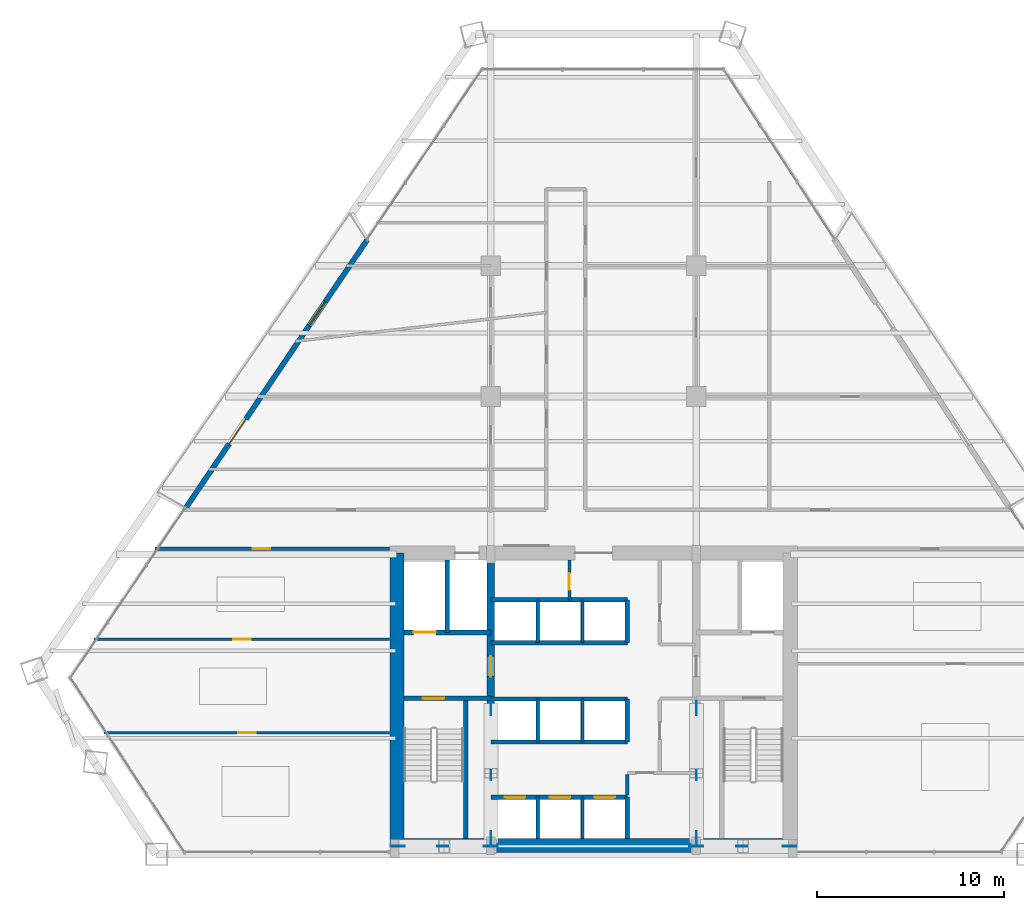
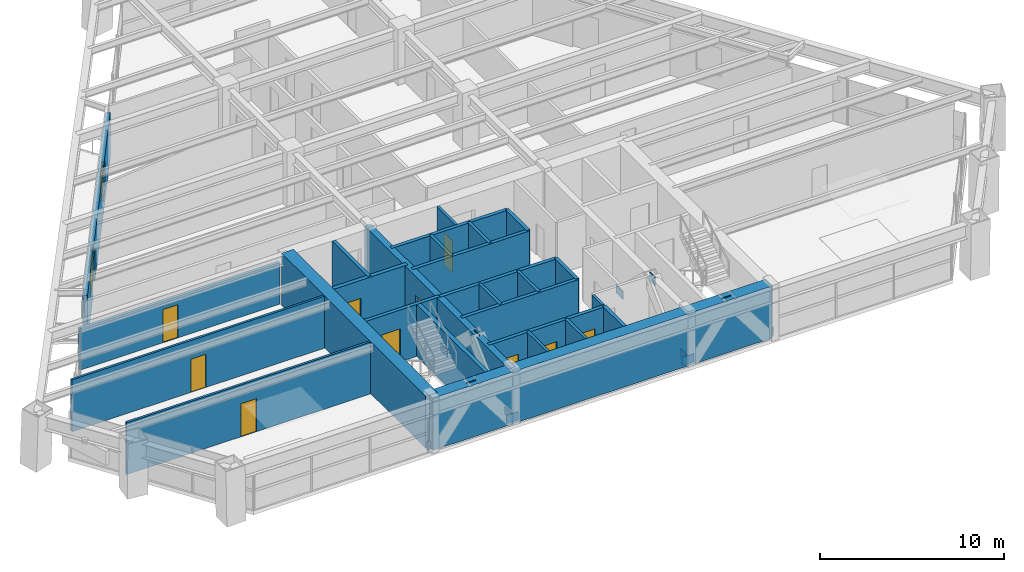
# One storey, part 10 of 14: 27 walls, 12 plates, 11 doors, 1 window, 12 openings.
"""IFC4 building model written with IfcOpenShell, lengths in metres."""

import ifcopenshell
import ifcopenshell.guid

model = None  # the IFC model being written
_history = None  # IfcOwnerHistory: only IFC2X3 demands one
_inside = {}  # id of a spatial element -> (the spatial element, [elements in it])
_under = {}  # id of a project, library or spatial element -> (it, [spatial elements below it])
_declared = {}  # id of a project -> (the project, [libraries it declares])
_typed = {}  # id of a type object -> (the type object, [elements of that type])
_made_of = {}  # id of a material, layer set ... -> (it, [elements and type objects made of it])


def new_model(schema):
    """Start an empty IFC model of exactly this schema.

    Asked for "IFC4X3", IfcOpenShell would pick the latest addendum, in which some entities
    have other attributes; the version numbers below select the first issue.
    IFC2X3 requires an IfcOwnerHistory on every rooted entity: one is made here for all.
    """
    global model, _history
    if schema == "IFC4X3":
        model = ifcopenshell.file(schema_version=(4, 3, 0, 0))
    else:
        model = ifcopenshell.file(schema=schema)
    _inside.clear()
    _under.clear()
    _declared.clear()
    _typed.clear()
    _made_of.clear()
    _history = None
    if model.schema == "IFC2X3":
        org = make("IfcOrganization", Name="unknown")
        user = make(
            "IfcPersonAndOrganization",
            ThePerson=make("IfcPerson", FamilyName="unknown"),
            TheOrganization=org,
        )
        app = make(
            "IfcApplication",
            ApplicationDeveloper=org,
            Version="unknown",
            ApplicationFullName="unknown",
            ApplicationIdentifier="unknown",
        )
        _history = make(
            "IfcOwnerHistory",
            OwningUser=user,
            OwningApplication=app,
            ChangeAction="ADDED",
            CreationDate=0,
        )
    return model


def make(cls, **values):
    """One entity of the class cls with the attributes given. An attribute that is None is left unset."""
    return model.create_entity(
        cls, **{name: value for name, value in values.items() if value is not None}
    )


def rooted(cls, **values):
    """An entity with a GlobalId (a new one), such as an element, a storey or a relation."""
    return make(cls, GlobalId=ifcopenshell.guid.new(), OwnerHistory=_history, **values)


def si_unit(unit_type, name, prefix=None):
    """IfcSIUnit, for example si_unit("LENGTHUNIT", "METRE", prefix="MILLI")."""
    return make("IfcSIUnit", UnitType=unit_type, Prefix=prefix, Name=name)


def assignment(units):
    """IfcUnitAssignment: the units of a project."""
    return None if units is None else make("IfcUnitAssignment", Units=units)


def point(xyz):
    """IfcCartesianPoint."""
    return None if xyz is None else make("IfcCartesianPoint", Coordinates=xyz)


def direction(xyz):
    """IfcDirection."""
    return None if xyz is None else make("IfcDirection", DirectionRatios=xyz)


def frame(location, z_axis=None, x_axis=None):
    """IfcAxis2Placement3D, a coordinate frame: its origin and axes. An axis left out is left unset."""
    return make(
        "IfcAxis2Placement3D",
        Location=point(location),
        Axis=direction(z_axis),
        RefDirection=direction(x_axis),
    )


def frame_2d(location, x_axis=None):
    """IfcAxis2Placement2D, a coordinate frame in the plane: its origin and x axis."""
    return make(
        "IfcAxis2Placement2D", Location=point(location), RefDirection=direction(x_axis)
    )


def origin():
    """The frame at (0, 0, 0) with its axes left unset."""
    return frame((0.0, 0.0, 0.0))


def origin_2d():
    """The frame at (0, 0) in the plane with its x axis left unset."""
    return frame_2d((0.0, 0.0))


def place(relative_to, where):
    """IfcLocalPlacement: puts the frame where relative to a parent placement (None: the world)."""
    return make(
        "IfcLocalPlacement", PlacementRelTo=relative_to, RelativePlacement=where
    )


def context(
    kind, dimensions, precision=None, world=None, true_north=None, identifier=None
):
    """IfcGeometricRepresentationContext, for example the 3D "Model" context."""
    return make(
        "IfcGeometricRepresentationContext",
        ContextIdentifier=identifier,
        ContextType=kind,
        CoordinateSpaceDimension=dimensions,
        Precision=precision,
        WorldCoordinateSystem=world,
        TrueNorth=true_north,
    )


def subcontext(parent, identifier, kind, view, scale=None):
    """IfcGeometricRepresentationSubContext, for example "Body" below "Model"."""
    return make(
        "IfcGeometricRepresentationSubContext",
        ContextIdentifier=identifier,
        ContextType=kind,
        ParentContext=parent,
        TargetScale=scale,
        TargetView=view,
    )


def project(units=None, contexts=None):
    """IfcProject with its units and contexts."""
    return rooted(
        "IfcProject",
        Name="project",
        RepresentationContexts=contexts,
        UnitsInContext=assignment(units),
    )


def spatial(cls, under=None, at=None, **own):
    """A site, building, storey or space (cls), placed at a placement, below another one or the project."""
    s = rooted(cls, ObjectPlacement=at, **own)
    if under is not None:
        _under.setdefault(under.id(), (under, []))[1].append(s)
    return s


def profile(cls, at=None, kind="AREA", **sizes):
    """A parametric profile (cls). Its sizes go by their IFC names, for example OverallWidth=200.0."""
    return make(cls, ProfileType=kind, Position=at, **sizes)


def rectangle(**sizes):
    """IfcRectangleProfileDef."""
    return profile("IfcRectangleProfileDef", **sizes)


def extrude(swept, where, along, depth):
    """IfcExtrudedAreaSolid: the profile swept, set in the frame where, extruded along a direction by depth."""
    return make(
        "IfcExtrudedAreaSolid",
        SweptArea=swept,
        Position=where,
        ExtrudedDirection=direction(along),
        Depth=depth,
    )


def shape(context_of_items, identifier, shape_type, items):
    """IfcShapeRepresentation: the items that make up one representation, for example the "Body"."""
    return make(
        "IfcShapeRepresentation",
        ContextOfItems=context_of_items,
        RepresentationIdentifier=identifier,
        RepresentationType=shape_type,
        Items=items,
    )


def source(mapping_origin, context_of_items, identifier, shape_type, items):
    """IfcRepresentationMap: a shape defined once, which mapped items show again and again."""
    return make(
        "IfcRepresentationMap",
        MappingOrigin=mapping_origin,
        MappedRepresentation=shape(context_of_items, identifier, shape_type, items),
    )


def transform(
    local_origin,
    x_axis=None,
    y_axis=None,
    z_axis=None,
    scale=None,
    scale2=None,
    scale3=None,
    uniform=True,
):
    """IfcCartesianTransformationOperator3D, or its non-uniform kind. x_axis, y_axis, z_axis: its Axis1, 2, 3."""
    if uniform:
        return make(
            "IfcCartesianTransformationOperator3D",
            Axis1=direction(x_axis),
            Axis2=direction(y_axis),
            LocalOrigin=point(local_origin),
            Scale=scale,
            Axis3=direction(z_axis),
        )
    return make(
        "IfcCartesianTransformationOperator3DnonUniform",
        Axis1=direction(x_axis),
        Axis2=direction(y_axis),
        LocalOrigin=point(local_origin),
        Scale=scale,
        Axis3=direction(z_axis),
        Scale2=scale2,
        Scale3=scale3,
    )


def mapped(mapping_source, mapping_target):
    """IfcMappedItem: shows the shape of a source again, moved by a transform."""
    return make(
        "IfcMappedItem", MappingSource=mapping_source, MappingTarget=mapping_target
    )


def material(Name=None, Category=None):
    """IfcMaterial."""
    return make("IfcMaterial", Name=Name, Category=Category)


def layer(
    of_material, thickness, ventilated=None, Name=None, Category=None, Priority=None
):
    """IfcMaterialLayer: one layer of a wall or slab, of a material (None: an air gap)."""
    return make(
        "IfcMaterialLayer",
        Material=of_material,
        LayerThickness=thickness,
        IsVentilated=ventilated,
        Name=Name,
        Category=Category,
        Priority=Priority,
    )


def layer_set(layers, Name=None):
    """IfcMaterialLayerSet."""
    return make("IfcMaterialLayerSet", MaterialLayers=layers, LayerSetName=Name)


def made_of(thing, what):
    """Note that an element or type object is made of a material, layer set ...; save() writes the relation."""
    if what is not None:
        _made_of.setdefault(what.id(), (what, []))[1].append(thing)
    return thing


def type_object(cls, material=None, **own):
    """A type object (cls), such as IfcWallType, which elements share."""
    return made_of(rooted(cls, **own), material)


def type_shapes(of_type, sources):
    """Give a type object the sources (RepresentationMaps) that its elements show as mapped items."""
    of_type.RepresentationMaps = sources


def element(
    cls,
    number,
    at=None,
    inside=None,
    cuts=None,
    type_object=None,
    material=None,
    context=None,
    identifier="Body",
    shape_type=None,
    held_by="IfcProductDefinitionShape",
    body=None,
    shapes=None,
    **own,
):
    """One element of the class cls, such as IfcWall. Its Tag is "e" and its number.

    at: its placement. inside: the storey or other place that contains it. cuts: it is an
    opening in that element (IfcRelVoidsElement). A single representation is given by context,
    identifier, shape_type and body (its items); several are given by shapes. held_by: the class
    of the entity that holds the representations. save() writes the other relations.
    """
    e = rooted(cls, Tag="e%d" % number, ObjectPlacement=at, **own)
    if body is not None:
        shapes = [shape(context, identifier, shape_type, body)]
    if shapes is not None:
        e.Representation = make(held_by, Representations=shapes)
    if inside is not None:
        _inside.setdefault(inside.id(), (inside, []))[1].append(e)
    if cuts is not None:
        rooted(
            "IfcRelVoidsElement", RelatingBuildingElement=cuts, RelatedOpeningElement=e
        )
    if type_object is not None:
        _typed.setdefault(type_object.id(), (type_object, []))[1].append(e)
    return made_of(e, material)


def fill(opening, filler):
    """IfcRelFillsElement: the door or window that sits in an opening."""
    return rooted(
        "IfcRelFillsElement",
        RelatingOpeningElement=opening,
        RelatedBuildingElement=filler,
    )


def aggregate(whole, parts):
    """IfcRelAggregates: a whole, such as a stair, and the parts it consists of."""
    return rooted("IfcRelAggregates", RelatingObject=whole, RelatedObjects=parts)


def save(model, path):
    """Write the relations noted so far, then the file.

    IfcRelAggregates (storeys below a building ...), IfcRelContainedInSpatialStructure (elements
    in a storey), IfcRelDefinesByType, IfcRelAssociatesMaterial and IfcRelDeclares: one each for
    every whole, place, type object, material and project.
    """
    for whole, parts in _under.values():
        aggregate(whole, parts)
    for where, things in _inside.values():
        rooted(
            "IfcRelContainedInSpatialStructure",
            RelatedElements=things,
            RelatingStructure=where,
        )
    for kind, things in _typed.values():
        rooted("IfcRelDefinesByType", RelatedObjects=things, RelatingType=kind)
    for what, things in _made_of.values():
        rooted("IfcRelAssociatesMaterial", RelatedObjects=things, RelatingMaterial=what)
    for by, libraries in _declared.values():
        rooted("IfcRelDeclares", RelatingContext=by, RelatedDefinitions=libraries)
    model.write(path)


model = new_model("IFC4")

# Units and contexts
model_context = context("Model", 3, precision=1e-05, world=origin(), true_north=direction((0.0, 1.0)))
body_context = subcontext(model_context, "Body", "Model", "MODEL_VIEW")
ifc_project = project(units=[si_unit("LENGTHUNIT", "METRE"), si_unit("AREAUNIT", "SQUARE_METRE"), si_unit("VOLUMEUNIT", "CUBIC_METRE"), si_unit("PLANEANGLEUNIT", "RADIAN"), si_unit("MASSUNIT", "GRAM", prefix="KILO")], contexts=[model_context])

# Site, building, storey
site_placement = place(None, origin())
site = spatial("IfcSite", under=ifc_project, at=site_placement, CompositionType="ELEMENT")
building_placement = place(site_placement, origin())
building = spatial("IfcBuilding", under=site, at=building_placement, Name="Varnakhor Terracotta Tower", CompositionType="ELEMENT")
storey_placement = place(building_placement, frame((0.0, 0.0, 80.300048828125)))
storey = spatial("IfcBuildingStorey", under=building, at=storey_placement, Name="L19", CompositionType="ELEMENT", Elevation=80.300048828125)

# Plates
ifc_material_1 = material(Name="Steel S460", Category="steel")
ifc_layer_1 = layer(ifc_material_1, 0.050048828125, Name="Steel S460")
ifc_layer_set_1 = layer_set([ifc_layer_1], Name="Steel S460")
plate_type = type_object("IfcPlateType", Name="PLT-GUSSET-50", PredefinedType="USERDEFINED", material=ifc_layer_set_1)
shared_shape_1 = source(origin(), body_context, "Body", "SweptSolid", [
    extrude(rectangle(XDim=0.75, YDim=0.0400390625, at=origin_2d()), origin(), (0.0, 0.0, 1.0), 0.550048828125),
])
type_shapes(plate_type, [shared_shape_1])
for number, where, z_axis, x_axis, name in (
    (1, (-10.5, 0.419921875, -0.09521484375), (0.0, 0.0, 1.0), (1.0, 0.0, 0.0), "L19 Core Brace Embed Plate CSWA"),
    (2, (-5.5, 0.419921875, -0.09521484375), (0.0, 0.0, 1.0), (1.0, 0.0, 0.0), "L19 Core Brace Embed Plate CSWB"),
    (3, (5.5, 0.419921875, -0.09521484375), (0.0, 0.0, 1.0), (1.0, 0.0, 0.0), "L19 Core Brace Embed Plate CSEA"),
    (4, (10.5, 0.419921875, -0.09521484375), (0.0, 0.0, 1.0), (1.0, 0.0, 0.0), "L19 Core Brace Embed Plate CSEB"),
    (5, (-5.5, 0.85009765625, -0.09521484375), (0.0, 0.0, 1.0), (0.0, 1.0, 0.0), "L19 Core Brace Embed Plate CWWA"),
    (6, (-5.5, 7.800048828125, -0.09521484375), (0.0, 0.0, 1.0), (0.0, 1.0, 0.0), "L19 Core Brace Embed Plate CWWB"),
    (7, (5.5, 0.85009765625, -0.09521484375), (0.0, 0.0, 1.0), (0.0, 1.0, 0.0), "L19 Core Brace Embed Plate CWEA"),
    (8, (5.5, 7.800048828125, -0.09521484375), (0.0, 0.0, 1.0), (0.0, 1.0, 0.0), "L19 Core Brace Embed Plate CWEB"),
):
    element("IfcPlate", number, at=place(storey_placement, frame(where, z_axis=z_axis, x_axis=x_axis)), inside=storey, type_object=plate_type, Name=name, ObjectType="GUSSET PLATE", PredefinedType="USERDEFINED", context=body_context, shape_type="MappedRepresentation", body=[
        mapped(shared_shape_1, transform((0.0, 0.0, 0.0), scale=1.0)),
    ])
shared_shape_2 = source(origin(), body_context, "Body", "SweptSolid", [
    extrude(rectangle(XDim=0.580078125, YDim=0.0400390625, at=origin_2d()), origin(), (0.0, 0.0, 1.0), 0.580078125),
])
for number, where, z_axis, x_axis, name in (
    (9, (-8.072509765625, 0.419921875, 2.914306640625), (0.0, 0.0, 1.0), (1.0, 0.0, 0.0), "L19 Brace End Connection Plate 88"),
    (10, (7.927490234375, 0.419921875, 2.914306640625), (0.0, 0.0, 1.0), (1.0, 0.0, 0.0), "L19 Brace End Connection Plate 89"),
    (11, (-5.5, 4.238037109375, 2.92724609375), (0.0, 0.0, 1.0), (0.0, 1.0, 0.0), "L19 Brace End Connection Plate 90"),
    (12, (5.5, 4.238037109375, 2.92724609375), (0.0, 0.0, 1.0), (0.0, 1.0, 0.0), "L19 Brace End Connection Plate 91"),
):
    element("IfcPlate", number, at=place(storey_placement, frame(where, z_axis=z_axis, x_axis=x_axis)), inside=storey, type_object=plate_type, Name=name, ObjectType="GUSSET PLATE", PredefinedType="USERDEFINED", context=body_context, shape_type="MappedRepresentation", body=[
        mapped(shared_shape_2, transform((0.0, 0.0, 0.0), scale=1.0)),
    ])

# Walls
ifc_material_2 = material(Name="Concrete C60/75", Category="concrete")
ifc_layer_2 = layer(ifc_material_2, 0.75, Name="Concrete C60/75")
ifc_layer_set_2 = layer_set([ifc_layer_2], Name="Concrete C60/75")
wall_type_1 = type_object("IfcWallType", Name="WAL-CORE-750", PredefinedType="SHEAR", material=ifc_layer_set_2)
wall_1_placement = place(storey_placement, frame((-10.64990234375, 0.47509765625, 0.0), z_axis=(0.0, 0.0, 1.0), x_axis=(1.0, 0.0, 0.0)))
element("IfcWall", 13, at=wall_1_placement, inside=storey, type_object=wall_type_1, Name="L19 South Core Shear Wall", PredefinedType="SHEAR", context=body_context, shape_type="SweptSolid", body=[
    extrude(rectangle(XDim=21.2998046875, YDim=0.75, at=frame_2d((10.64990234375, 0.0))), origin(), (0.0, 0.0, 1.0), 3.449951171875),
])
wall_2_placement = place(storey_placement, frame((-10.52490234375, 0.47509765625, 0.0), z_axis=(0.0, 0.0, 1.0), x_axis=(0.0, 1.0, 0.0)))
element("IfcWall", 14, at=wall_2_placement, inside=storey, type_object=wall_type_1, Name="L19 West Core Shear Wall", PredefinedType="SHEAR", context=body_context, shape_type="SweptSolid", body=[
    extrude(rectangle(XDim=15.64990234375, YDim=0.75, at=frame_2d((7.824951171875, 0.0))), origin(), (0.0, 0.0, 1.0), 3.449951171875),
])

# Wall, opening, door
ifc_material_3 = material(Name="Concrete C50/60", Category="concrete")
ifc_layer_3 = layer(ifc_material_3, 0.39990234375, Name="Concrete C50/60")
ifc_layer_set_3 = layer_set([ifc_layer_3], Name="Concrete C50/60")
wall_type_2 = type_object("IfcWallType", Name="WAL-CORE-WEB-400", PredefinedType="SHEAR", material=ifc_layer_set_3)
wall_3_placement = place(storey_placement, frame((-5.5, 0.47509765625, 0.0), z_axis=(0.0, 0.0, 1.0), x_axis=(0.0, 1.0, 0.0)))
wall_3 = element("IfcWall", 15, at=wall_3_placement, inside=storey, type_object=wall_type_2, Name="L19 West Core Web Shear Wall", PredefinedType="SHEAR", context=body_context, shape_type="SweptSolid", body=[
    extrude(rectangle(XDim=15.64990234375, YDim=0.39990234375, at=frame_2d((7.824951171875, 0.0))), origin(), (0.0, 0.0, 1.0), 3.449951171875),
])
opening_1_placement = place(wall_3_placement, frame((9.02490234375, 0.0, 0.0)))
opening_1 = element("IfcOpeningElement", 16, at=opening_1_placement, cuts=wall_3, Name="Opening DR-25", PredefinedType="OPENING", context=body_context, shape_type="SweptSolid", body=[
    extrude(rectangle(XDim=1.10009765625, YDim=2.199951171875, at=frame_2d((0.550048828125, 1.10009765625))), frame((0.0, 0.2099609375, 0.0), z_axis=(0.0, -1.0, 0.0), x_axis=(1.0, 0.0, 0.0)), (0.0, 0.0, 1.0), 0.419921875),
])
ifc_material_4 = material(Name="Firefighting Lobby Self-Closing Fire Door", Category="steel")
door_type_1 = type_object("IfcDoorType", Name="DR-FFL-1100X2200", OperationType="NOTDEFINED", PredefinedType="DOOR", material=ifc_material_4)
shared_shape_3 = source(origin(), body_context, "Body", "SweptSolid", [
    extrude(rectangle(XDim=1.10009765625, YDim=2.199951171875, at=frame_2d((0.550048828125, 1.10009765625))), frame((0.0, 0.02490234375, 0.0), z_axis=(0.0, -1.0, 0.0), x_axis=(1.0, 0.0, 0.0)), (0.0, 0.0, 1.0), 0.050048828125),
])
type_shapes(door_type_1, [shared_shape_3])
door_1_placement = place(opening_1_placement, origin())
door_1 = element("IfcDoor", 17, at=door_1_placement, inside=storey, type_object=door_type_1, Name="L19 West Firefighting Lobby Door", OperationType="SINGLE_SWING_LEFT", OverallHeight=2.199951171875, OverallWidth=1.10009765625, PredefinedType="DOOR", context=body_context, shape_type="MappedRepresentation", body=[
    mapped(shared_shape_3, transform((0.0, 0.0, 0.0), scale=1.0)),
])
fill(opening_1, door_1)

ifc_material_5 = material(Name="Fire-Rated Gypsum Stud Partition", Category="gypsum")
ifc_layer_4 = layer(ifc_material_5, 0.18505859375, Name="Fire-Rated Gypsum Stud Partition")
ifc_layer_set_4 = layer_set([ifc_layer_4], Name="Fire-Rated Gypsum Stud Partition")
wall_type_3 = type_object("IfcWallType", Name="WAL-CORR-185", PredefinedType="PARTITIONING", material=ifc_layer_set_4)
wall_4_placement = place(storey_placement, frame((-23.47216796875, 16.35009765625, 0.0), z_axis=(0.0, 0.0, 1.0), x_axis=(1.0, 0.0, 0.0)))
wall_4 = element("IfcWall", 18, at=wall_4_placement, inside=storey, type_object=wall_type_3, Name="L19 South West Corridor Wall", PredefinedType="PARTITIONING", context=body_context, shape_type="SweptSolid", body=[
    extrude(rectangle(XDim=12.55224609375, YDim=0.18505859375, at=frame_2d((6.276123046875, 0.0))), origin(), (0.0, 0.0, 1.0), 2.7470703125),
])
opening_2_placement = place(wall_4_placement, frame((5.20751953125, 0.0, 0.0)))
opening_2 = element("IfcOpeningElement", 19, at=opening_2_placement, cuts=wall_4, Name="Opening DR-94", PredefinedType="OPENING", context=body_context, shape_type="SweptSolid", body=[
    extrude(rectangle(XDim=0.949951171875, YDim=2.199951171875, at=frame_2d((0.47509765625, 1.10009765625))), frame((0.0, 0.1025390625, 0.0), z_axis=(0.0, -1.0, 0.0), x_axis=(1.0, 0.0, 0.0)), (0.0, 0.0, 1.0), 0.205078125),
])
ifc_material_6 = material(Name="Acoustic Glazed-Vision Timber Office Door", Category="wood")
door_type_2 = type_object("IfcDoorType", Name="DR-OFF-950X2200", OperationType="NOTDEFINED", PredefinedType="DOOR", material=ifc_material_6)
shared_shape_4 = source(origin(), body_context, "Body", "SweptSolid", [
    extrude(rectangle(XDim=0.949951171875, YDim=2.199951171875, at=frame_2d((0.47509765625, 1.10009765625))), frame((0.0, 0.02490234375, 0.0), z_axis=(0.0, -1.0, 0.0), x_axis=(1.0, 0.0, 0.0)), (0.0, 0.0, 1.0), 0.050048828125),
])
type_shapes(door_type_2, [shared_shape_4])
door_2_placement = place(opening_2_placement, origin())
door_2 = element("IfcDoor", 20, at=door_2_placement, inside=storey, type_object=door_type_2, Name="L19 SW Suite Door", OperationType="SINGLE_SWING_RIGHT", OverallHeight=2.199951171875, OverallWidth=0.949951171875, PredefinedType="DOOR", context=body_context, shape_type="MappedRepresentation", body=[
    mapped(shared_shape_4, transform((0.0, 0.0, 0.0), scale=1.0)),
])
fill(opening_2, door_2)

# Wall, openings, door, window
ifc_material_7 = material(Name="Extruded Architectural Terracotta Assembly", Category="masonry")
ifc_layer_5 = layer(ifc_material_7, 0.280029296875, Name="Extruded Architectural Terracotta Assembly")
ifc_layer_set_5 = layer_set([ifc_layer_5], Name="Extruded Architectural Terracotta Assembly")
wall_type_4 = type_object("IfcWallType", Name="WAL-EXT-TERRACOTTA-280", PredefinedType="SOLIDWALL", material=ifc_layer_set_5)
wall_5_placement = place(storey_placement, frame((-21.846435546875, 18.5205078125, 0.0), z_axis=(0.0, 0.0, 1.0), x_axis=(0.560417461997, 0.828210280236, 0.0)))
wall_5 = element("IfcWall", 21, at=wall_5_placement, inside=storey, type_object=wall_type_4, Name="L19 W Loggia Insulated Terracotta Wall", PredefinedType="SOLIDWALL", context=body_context, shape_type="SweptSolid", body=[
    extrude(rectangle(XDim=17.36279296875, YDim=0.280029296875, at=frame_2d((8.681396484375, 0.0))), origin(), (0.0, 0.0, 1.0), 3.030029296875),
])
opening_3_placement = place(wall_5_placement, frame((4.1669921875, 0.0, 0.0)))
opening_3 = element("IfcOpeningElement", 22, at=opening_3_placement, cuts=wall_5, Name="Opening DR-62", PredefinedType="OPENING", context=body_context, shape_type="SweptSolid", body=[
    extrude(rectangle(XDim=1.60009765625, YDim=2.35009765625, at=frame_2d((0.800048828125, 1.175048828125))), frame((0.0, 0.14990234375, 0.0), z_axis=(0.0, -1.0, 0.0), x_axis=(1.0, 0.0, 0.0)), (0.0, 0.0, 1.0), 0.300048828125),
])
opening_4_placement = place(wall_5_placement, frame((11.806640625, 0.0, 0.89990234375)))
opening_4 = element("IfcOpeningElement", 23, at=opening_4_placement, cuts=wall_5, Name="Opening WN-57", PredefinedType="OPENING", context=body_context, shape_type="SweptSolid", body=[
    extrude(rectangle(XDim=1.550048828125, YDim=1.85009765625, at=frame_2d((0.77490234375, 0.925048828125))), frame((0.0, 0.14990234375, 0.0), z_axis=(0.0, -1.0, 0.0), x_axis=(1.0, 0.0, 0.0)), (0.0, 0.0, 1.0), 0.300048828125),
])
ifc_material_8 = material(Name="Thermally Broken Sliding Glass Loggia Door", Category="glass")
door_type_3 = type_object("IfcDoorType", Name="DR-EXT-LOGGIA-1600X2350", OperationType="NOTDEFINED", PredefinedType="DOOR", material=ifc_material_8)
shared_shape_5 = source(origin(), body_context, "Body", "SweptSolid", [
    extrude(rectangle(XDim=1.60009765625, YDim=2.35009765625, at=frame_2d((0.800048828125, 1.175048828125))), frame((0.0, 0.02490234375, 0.0), z_axis=(0.0, -1.0, 0.0), x_axis=(1.0, 0.0, 0.0)), (0.0, 0.0, 1.0), 0.050048828125),
])
type_shapes(door_type_3, [shared_shape_5])
door_3_placement = place(opening_3_placement, origin())
door_3 = element("IfcDoor", 24, at=door_3_placement, inside=storey, type_object=door_type_3, Name="L19 W Recessed Loggia Sliding Door", OperationType="SLIDING_TO_LEFT", OverallHeight=2.35009765625, OverallWidth=1.60009765625, PredefinedType="DOOR", context=body_context, shape_type="MappedRepresentation", body=[
    mapped(shared_shape_5, transform((0.0, 0.0, 0.0), scale=1.0)),
])
fill(opening_3, door_3)
ifc_material_9 = material(Name="Solar-Control Low-E Insulated Glass Unit", Category="glass")
window_type = type_object("IfcWindowType", Name="WIN-OFF-1650X2100", PartitioningType="SINGLE_PANEL", PredefinedType="WINDOW", material=ifc_material_9)
shared_shape_6 = source(origin(), body_context, "Body", "SweptSolid", [
    extrude(rectangle(XDim=1.550048828125, YDim=1.85009765625, at=frame_2d((0.77490234375, 0.925048828125))), frame((0.0, 0.030029296875, 0.0), z_axis=(0.0, -1.0, 0.0), x_axis=(1.0, 0.0, 0.0)), (0.0, 0.0, 1.0), 0.06005859375),
])
type_shapes(window_type, [shared_shape_6])
window_placement = place(opening_4_placement, origin())
window = element("IfcWindow", 25, at=window_placement, inside=storey, type_object=window_type, Name="L19 W Facet Punched Window", OverallHeight=1.85009765625, OverallWidth=1.550048828125, PartitioningType="SINGLE_PANEL", PredefinedType="WINDOW", context=body_context, shape_type="MappedRepresentation", body=[
    mapped(shared_shape_6, transform((0.0, 0.0, 0.0), scale=1.0)),
])
fill(opening_4, window)

# Wall, opening, door
ifc_material_10 = material(Name="Concrete C40/50", Category="concrete")
ifc_layer_6 = layer(ifc_material_10, 0.219970703125, Name="Concrete C40/50")
ifc_layer_set_6 = layer_set([ifc_layer_6], Name="Concrete C40/50")
wall_type_5 = type_object("IfcWallType", Name="WAL-FFLOBBY-220", PredefinedType="SOLIDWALL", material=ifc_layer_set_6)
wall_6_placement = place(storey_placement, frame((-5.5, 8.35009765625, 0.0), z_axis=(0.0, 0.0, 1.0), x_axis=(-1.0, 0.0, 0.0)))
wall_6 = element("IfcWall", 26, at=wall_6_placement, inside=storey, type_object=wall_type_5, Name="L19 West Firefighting Lobby Stair Wall", PredefinedType="SOLIDWALL", context=body_context, shape_type="SweptSolid", body=[
    extrude(rectangle(XDim=4.64990234375, YDim=0.219970703125, at=frame_2d((2.324951171875, 0.0))), origin(), (0.0, 0.0, 1.0), 3.449951171875),
])
opening_5_placement = place(wall_6_placement, frame((2.5, 0.0, 0.0)))
opening_5 = element("IfcOpeningElement", 27, at=opening_5_placement, cuts=wall_6, Name="Opening DR-34", PredefinedType="OPENING", context=body_context, shape_type="SweptSolid", body=[
    extrude(rectangle(XDim=1.14990234375, YDim=2.199951171875, at=frame_2d((0.574951171875, 1.10009765625))), frame((0.0, 0.1201171875, 0.0), z_axis=(0.0, -1.0, 0.0), x_axis=(1.0, 0.0, 0.0)), (0.0, 0.0, 1.0), 0.239990234375),
])
ifc_material_11 = material(Name="Self-Closing Smoke-Sealed Steel Fire Door", Category="steel")
door_type_4 = type_object("IfcDoorType", Name="DR-STAIR-1150X2200", OperationType="NOTDEFINED", PredefinedType="DOOR", material=ifc_material_11)
shared_shape_7 = source(origin(), body_context, "Body", "SweptSolid", [
    extrude(rectangle(XDim=1.14990234375, YDim=2.199951171875, at=frame_2d((0.574951171875, 1.10009765625))), frame((0.0, 0.02490234375, 0.0), z_axis=(0.0, -1.0, 0.0), x_axis=(1.0, 0.0, 0.0)), (0.0, 0.0, 1.0), 0.050048828125),
])
type_shapes(door_type_4, [shared_shape_7])
door_4_placement = place(opening_5_placement, origin())
door_4 = element("IfcDoor", 28, at=door_4_placement, inside=storey, type_object=door_type_4, Name="L19 Exit Stair ST-1 Fire Door", OperationType="SINGLE_SWING_RIGHT", OverallHeight=2.199951171875, OverallWidth=1.14990234375, PredefinedType="DOOR", context=body_context, shape_type="MappedRepresentation", body=[
    mapped(shared_shape_7, transform((0.0, 0.0, 0.0), scale=1.0)),
])
fill(opening_5, door_4)

ifc_material_12 = material(Name="Acoustic Metal-Stud Partition", Category="gypsum")
ifc_layer_7 = layer(ifc_material_12, 0.139892578125, Name="Acoustic Metal-Stud Partition")
ifc_layer_set_7 = layer_set([ifc_layer_7], Name="Acoustic Metal-Stud Partition")
wall_type_6 = type_object("IfcWallType", Name="WAL-PART-140", PredefinedType="PARTITIONING", material=ifc_layer_set_7)
wall_7_placement = place(storey_placement, frame((-26.216552734375, 6.5, 0.0), z_axis=(0.0, 0.0, 1.0), x_axis=(1.0, 0.0, 0.0)))
wall_7 = element("IfcWall", 29, at=wall_7_placement, inside=storey, type_object=wall_type_6, Name="L19 South West Cut 1", PredefinedType="PARTITIONING", context=body_context, shape_type="SweptSolid", body=[
    extrude(rectangle(XDim=15.296630859375, YDim=0.139892578125, at=frame_2d((7.6484375, 0.0))), origin(), (0.0, 0.0, 1.0), 3.44189453125),
])
opening_6_placement = place(wall_7_placement, frame((7.18310546875, 0.0, 0.0)))
opening_6 = element("IfcOpeningElement", 30, at=opening_6_placement, cuts=wall_7, Name="Opening DR-94", PredefinedType="OPENING", context=body_context, shape_type="SweptSolid", body=[
    extrude(rectangle(XDim=0.949951171875, YDim=2.199951171875, at=frame_2d((0.47509765625, 1.10009765625))), frame((0.0, 0.080078125, 0.0), z_axis=(0.0, -1.0, 0.0), x_axis=(1.0, 0.0, 0.0)), (0.0, 0.0, 1.0), 0.159912109375),
])
door_5_placement = place(opening_6_placement, origin())
door_5 = element("IfcDoor", 31, at=door_5_placement, inside=storey, type_object=door_type_2, Name="L19 South West Executive Office Door", OperationType="SINGLE_SWING_RIGHT", OverallHeight=2.199951171875, OverallWidth=0.949951171875, PredefinedType="DOOR", context=body_context, shape_type="MappedRepresentation", body=[
    mapped(shared_shape_4, transform((0.0, 0.0, 0.0), scale=1.0)),
])
fill(opening_6, door_5)

wall_8_placement = place(storey_placement, frame((-26.75390625, 11.5, 0.0), z_axis=(0.0, 0.0, 1.0), x_axis=(1.0, 0.0, 0.0)))
wall_8 = element("IfcWall", 32, at=wall_8_placement, inside=storey, type_object=wall_type_6, Name="L19 South West Cut 2", PredefinedType="PARTITIONING", context=body_context, shape_type="SweptSolid", body=[
    extrude(rectangle(XDim=15.833984375, YDim=0.139892578125, at=frame_2d((7.9169921875, 0.0))), origin(), (0.0, 0.0, 1.0), 3.44189453125),
])
opening_7_placement = place(wall_8_placement, frame((7.454345703125, 0.0, 0.0)))
opening_7 = element("IfcOpeningElement", 33, at=opening_7_placement, cuts=wall_8, Name="Opening DR-94", PredefinedType="OPENING", context=body_context, shape_type="SweptSolid", body=[
    extrude(rectangle(XDim=0.949951171875, YDim=2.199951171875, at=frame_2d((0.47509765625, 1.10009765625))), frame((0.0, 0.080078125, 0.0), z_axis=(0.0, -1.0, 0.0), x_axis=(1.0, 0.0, 0.0)), (0.0, 0.0, 1.0), 0.159912109375),
])
door_6_placement = place(opening_7_placement, origin())
door_6 = element("IfcDoor", 34, at=door_6_placement, inside=storey, type_object=door_type_2, Name="L19 Focus Office Door", OperationType="SINGLE_SWING_LEFT", OverallHeight=2.199951171875, OverallWidth=0.949951171875, PredefinedType="DOOR", context=body_context, shape_type="MappedRepresentation", body=[
    mapped(shared_shape_4, transform((0.0, 0.0, 0.0), scale=1.0)),
])
fill(opening_7, door_6)

# Walls
ifc_layer_8 = layer(ifc_material_10, 0.179931640625, Name="Concrete C40/50")
ifc_layer_set_8 = layer_set([ifc_layer_8], Name="Concrete C40/50")
wall_type_7 = type_object("IfcWallType", Name="WAL-SHAFT-180", PredefinedType="SOLIDWALL", material=ifc_layer_set_8)
for number, where, z_axis, x_axis, name in (
    (35, (-3.0, 0.85009765625, 0.0), (0.0, 0.0, 1.0), (0.0, 1.0, 0.0), "L19 PL-1A Divider"),
    (36, (-0.60009765625, 0.85009765625, 0.0), (0.0, 0.0, 1.0), (0.0, 1.0, 0.0), "L19 PL-1B Divider"),
):
    element("IfcWall", number, at=place(storey_placement, frame(where, z_axis=z_axis, x_axis=x_axis)), inside=storey, type_object=wall_type_7, Name=name, PredefinedType="SOLIDWALL", context=body_context, shape_type="SweptSolid", body=[
        extrude(rectangle(XDim=2.199951171875, YDim=0.179931640625, at=frame_2d((1.10009765625, 0.0))), origin(), (0.0, 0.0, 1.0), 3.449951171875),
    ])
for number, where, z_axis, x_axis, name in (
    (37, (-3.0, 6.0, 0.0), (0.0, 0.0, 1.0), (0.0, 1.0, 0.0), "L19 PL-2A Divider"),
    (38, (-0.60009765625, 6.0, 0.0), (0.0, 0.0, 1.0), (0.0, 1.0, 0.0), "L19 PL-2B Divider"),
    (39, (-3.0, 11.320068359375, 0.0), (0.0, 0.0, 1.0), (0.0, 1.0, 0.0), "L19 PL-3A Divider"),
    (40, (-0.60009765625, 11.320068359375, 0.0), (0.0, 0.0, 1.0), (0.0, 1.0, 0.0), "L19 PL-3B Divider"),
):
    element("IfcWall", number, at=place(storey_placement, frame(where, z_axis=z_axis, x_axis=x_axis)), inside=storey, type_object=wall_type_7, Name=name, PredefinedType="SOLIDWALL", context=body_context, shape_type="SweptSolid", body=[
        extrude(rectangle(XDim=2.300048828125, YDim=0.179931640625, at=frame_2d((1.14990234375, 0.0))), origin(), (0.0, 0.0, 1.0), 3.449951171875),
    ])
ifc_layer_9 = layer(ifc_material_10, 0.219970703125, Name="Concrete C40/50")
ifc_layer_set_9 = layer_set([ifc_layer_9], Name="Concrete C40/50")
wall_type_8 = type_object("IfcWallType", Name="WAL-SHAFT-220", PredefinedType="SOLIDWALL", material=ifc_layer_set_9)
wall_9_placement = place(storey_placement, frame((-7.840087890625, 11.8701171875, 0.0), z_axis=(0.0, 0.0, 1.0), x_axis=(0.0, 1.0, 0.0)))
element("IfcWall", 41, at=wall_9_placement, inside=storey, type_object=wall_type_8, Name="L19 Lift FFL-1 and SVL-1 Divider Wall", PredefinedType="SOLIDWALL", context=body_context, shape_type="SweptSolid", body=[
    extrude(rectangle(XDim=3.8798828125, YDim=0.219970703125, at=frame_2d((1.93994140625, 0.0))), origin(), (0.0, 0.0, 1.0), 3.449951171875),
])

# Wall, openings, doors
wall_10_placement = place(storey_placement, frame((-5.5, 3.050048828125, 0.0), z_axis=(0.0, 0.0, 1.0), x_axis=(1.0, 0.0, 0.0)))
wall_10 = element("IfcWall", 42, at=wall_10_placement, inside=storey, type_object=wall_type_8, Name="L19 Bank 1 Lift Shaft Wall", PredefinedType="SOLIDWALL", context=body_context, shape_type="SweptSolid", body=[
    extrude(rectangle(XDim=7.320068359375, YDim=0.219970703125, at=frame_2d((3.66015625, 0.0))), origin(), (0.0, 0.0, 1.0), 3.449951171875),
])
opening_8_placement = place(wall_10_placement, frame((0.75, 0.0, 0.0)))
opening_8 = element("IfcOpeningElement", 43, at=opening_8_placement, cuts=wall_10, Name="Opening LD-01", PredefinedType="OPENING", context=body_context, shape_type="SweptSolid", body=[
    extrude(rectangle(XDim=1.10009765625, YDim=2.199951171875, at=frame_2d((0.550048828125, 1.10009765625))), frame((0.0, 0.1201171875, 0.0), z_axis=(0.0, -1.0, 0.0), x_axis=(1.0, 0.0, 0.0)), (0.0, 0.0, 1.0), 0.239990234375),
])
opening_9_placement = place(wall_10_placement, frame((3.14990234375, 0.0, 0.0)))
opening_9 = element("IfcOpeningElement", 44, at=opening_9_placement, cuts=wall_10, Name="Opening LD-01", PredefinedType="OPENING", context=body_context, shape_type="SweptSolid", body=[
    extrude(rectangle(XDim=1.10009765625, YDim=2.199951171875, at=frame_2d((0.550048828125, 1.10009765625))), frame((0.0, 0.1201171875, 0.0), z_axis=(0.0, -1.0, 0.0), x_axis=(1.0, 0.0, 0.0)), (0.0, 0.0, 1.0), 0.239990234375),
])
opening_10_placement = place(wall_10_placement, frame((5.550048828125, 0.0, 0.0)))
opening_10 = element("IfcOpeningElement", 45, at=opening_10_placement, cuts=wall_10, Name="Opening LD-01", PredefinedType="OPENING", context=body_context, shape_type="SweptSolid", body=[
    extrude(rectangle(XDim=1.10009765625, YDim=2.199951171875, at=frame_2d((0.550048828125, 1.10009765625))), frame((0.0, 0.1201171875, 0.0), z_axis=(0.0, -1.0, 0.0), x_axis=(1.0, 0.0, 0.0)), (0.0, 0.0, 1.0), 0.239990234375),
])
ifc_material_13 = material(Name="Brushed Stainless Steel Sliding Lift Landing Door", Category="steel")
door_type_5 = type_object("IfcDoorType", Name="LD-PASS-1100X2200", OperationType="NOTDEFINED", PredefinedType="DOOR", material=ifc_material_13)
shared_shape_8 = source(origin(), body_context, "Body", "SweptSolid", [
    extrude(rectangle(XDim=1.10009765625, YDim=2.199951171875, at=frame_2d((0.550048828125, 1.10009765625))), frame((0.0, 0.02490234375, 0.0), z_axis=(0.0, -1.0, 0.0), x_axis=(1.0, 0.0, 0.0)), (0.0, 0.0, 1.0), 0.050048828125),
])
type_shapes(door_type_5, [shared_shape_8])
door_7_placement = place(opening_8_placement, origin())
door_7 = element("IfcDoor", 46, at=door_7_placement, inside=storey, type_object=door_type_5, Name="L19 Passenger Lift PL-1A Landing Door", OperationType="SLIDING_TO_RIGHT", OverallHeight=2.199951171875, OverallWidth=1.10009765625, PredefinedType="DOOR", context=body_context, shape_type="MappedRepresentation", body=[
    mapped(shared_shape_8, transform((0.0, 0.0, 0.0), scale=1.0)),
])
fill(opening_8, door_7)
door_8_placement = place(opening_9_placement, origin())
door_8 = element("IfcDoor", 47, at=door_8_placement, inside=storey, type_object=door_type_5, Name="L19 Passenger Lift PL-1B Landing Door", OperationType="SLIDING_TO_RIGHT", OverallHeight=2.199951171875, OverallWidth=1.10009765625, PredefinedType="DOOR", context=body_context, shape_type="MappedRepresentation", body=[
    mapped(shared_shape_8, transform((0.0, 0.0, 0.0), scale=1.0)),
])
fill(opening_9, door_8)
door_9_placement = place(opening_10_placement, origin())
door_9 = element("IfcDoor", 48, at=door_9_placement, inside=storey, type_object=door_type_5, Name="L19 Passenger Lift PL-1C Landing Door", OperationType="SLIDING_TO_RIGHT", OverallHeight=2.199951171875, OverallWidth=1.10009765625, PredefinedType="DOOR", context=body_context, shape_type="MappedRepresentation", body=[
    mapped(shared_shape_8, transform((0.0, 0.0, 0.0), scale=1.0)),
])
fill(opening_10, door_9)

# Walls
wall_11_placement = place(storey_placement, frame((1.800048828125, 0.85009765625, 0.0), z_axis=(0.0, 0.0, 1.0), x_axis=(0.0, 1.0, 0.0)))
element("IfcWall", 49, at=wall_11_placement, inside=storey, type_object=wall_type_8, Name="L19 Bank 1 East Shaft Wall", PredefinedType="SOLIDWALL", context=body_context, shape_type="SweptSolid", body=[
    extrude(rectangle(XDim=2.199951171875, YDim=0.219970703125, at=frame_2d((1.10009765625, 0.0))), origin(), (0.0, 0.0, 1.0), 3.449951171875),
])
for number, where, z_axis, x_axis, name in (
    (50, (-5.5, 6.0, 0.0), (0.0, 0.0, 1.0), (1.0, 0.0, 0.0), "L19 Bank 2 South Shaft Wall"),
    (51, (-5.5, 8.300048828125, 0.0), (0.0, 0.0, 1.0), (1.0, 0.0, 0.0), "L19 Bank 2 North Shaft Wall"),
):
    element("IfcWall", number, at=place(storey_placement, frame(where, z_axis=z_axis, x_axis=x_axis)), inside=storey, type_object=wall_type_8, Name=name, PredefinedType="SOLIDWALL", context=body_context, shape_type="SweptSolid", body=[
        extrude(rectangle(XDim=7.320068359375, YDim=0.219970703125, at=frame_2d((3.66015625, 0.0))), origin(), (0.0, 0.0, 1.0), 3.449951171875),
    ])
wall_12_placement = place(storey_placement, frame((1.800048828125, 6.0, 0.0), z_axis=(0.0, 0.0, 1.0), x_axis=(0.0, 1.0, 0.0)))
element("IfcWall", 52, at=wall_12_placement, inside=storey, type_object=wall_type_8, Name="L19 Bank 2 East Shaft Wall", PredefinedType="SOLIDWALL", context=body_context, shape_type="SweptSolid", body=[
    extrude(rectangle(XDim=2.300048828125, YDim=0.219970703125, at=frame_2d((1.14990234375, 0.0))), origin(), (0.0, 0.0, 1.0), 3.449951171875),
])
for number, where, z_axis, x_axis, name in (
    (53, (-5.5, 11.320068359375, 0.0), (0.0, 0.0, 1.0), (1.0, 0.0, 0.0), "L19 Bank 3 South Shaft Wall"),
    (54, (-5.5, 13.6201171875, 0.0), (0.0, 0.0, 1.0), (1.0, 0.0, 0.0), "L19 Bank 3 North Shaft Wall"),
):
    element("IfcWall", number, at=place(storey_placement, frame(where, z_axis=z_axis, x_axis=x_axis)), inside=storey, type_object=wall_type_8, Name=name, PredefinedType="SOLIDWALL", context=body_context, shape_type="SweptSolid", body=[
        extrude(rectangle(XDim=7.320068359375, YDim=0.219970703125, at=frame_2d((3.66015625, 0.0))), origin(), (0.0, 0.0, 1.0), 3.449951171875),
    ])
wall_13_placement = place(storey_placement, frame((1.800048828125, 11.320068359375, 0.0), z_axis=(0.0, 0.0, 1.0), x_axis=(0.0, 1.0, 0.0)))
element("IfcWall", 55, at=wall_13_placement, inside=storey, type_object=wall_type_8, Name="L19 Bank 3 East Shaft Wall", PredefinedType="SOLIDWALL", context=body_context, shape_type="SweptSolid", body=[
    extrude(rectangle(XDim=2.300048828125, YDim=0.219970703125, at=frame_2d((1.14990234375, 0.0))), origin(), (0.0, 0.0, 1.0), 3.449951171875),
])
ifc_layer_10 = layer(ifc_material_10, 0.25, Name="Concrete C40/50")
ifc_layer_set_10 = layer_set([ifc_layer_10], Name="Concrete C40/50")
wall_type_9 = type_object("IfcWallType", Name="WAL-SHAFT-250", PredefinedType="SOLIDWALL", material=ifc_layer_set_10)
wall_14_placement = place(storey_placement, frame((-6.85009765625, 0.85009765625, 0.0), z_axis=(0.0, 0.0, 1.0), x_axis=(0.0, 1.0, 0.0)))
element("IfcWall", 56, at=wall_14_placement, inside=storey, type_object=wall_type_9, Name="L19 Stair ST-1 Bearing Shaft Wall", PredefinedType="SOLIDWALL", context=body_context, shape_type="SweptSolid", body=[
    extrude(rectangle(XDim=7.5, YDim=0.25, at=frame_2d((3.75, 0.0))), origin(), (0.0, 0.0, 1.0), 3.449951171875),
])

# Wall, opening, door
wall_15_placement = place(storey_placement, frame((-5.5, 11.8701171875, 0.0), z_axis=(0.0, 0.0, 1.0), x_axis=(-1.0, 0.0, 0.0)))
wall_15 = element("IfcWall", 57, at=wall_15_placement, inside=storey, type_object=wall_type_9, Name="L19 Lift FFL-1 Shaft Front Wall", PredefinedType="SOLIDWALL", context=body_context, shape_type="SweptSolid", body=[
    extrude(rectangle(XDim=4.64990234375, YDim=0.25, at=frame_2d((2.324951171875, 0.0))), origin(), (0.0, 0.0, 1.0), 3.449951171875),
])
opening_11_placement = place(wall_15_placement, frame((2.949951171875, 0.0, 0.0)))
opening_11 = element("IfcOpeningElement", 58, at=opening_11_placement, cuts=wall_15, Name="Opening LD-02", PredefinedType="OPENING", context=body_context, shape_type="SweptSolid", body=[
    extrude(rectangle(XDim=1.199951171875, YDim=2.25, at=frame_2d((0.60009765625, 1.125))), frame((0.0, 0.135009765625, 0.0), z_axis=(0.0, -1.0, 0.0), x_axis=(1.0, 0.0, 0.0)), (0.0, 0.0, 1.0), 0.27001953125),
])
ifc_material_14 = material(Name="Firefighting Stretcher Sliding Lift Landing Door", Category="steel")
door_type_6 = type_object("IfcDoorType", Name="LD-FFL-1200X2250", OperationType="NOTDEFINED", PredefinedType="DOOR", material=ifc_material_14)
shared_shape_9 = source(origin(), body_context, "Body", "SweptSolid", [
    extrude(rectangle(XDim=1.199951171875, YDim=2.25, at=frame_2d((0.60009765625, 1.125))), frame((0.0, 0.02490234375, 0.0), z_axis=(0.0, -1.0, 0.0), x_axis=(1.0, 0.0, 0.0)), (0.0, 0.0, 1.0), 0.050048828125),
])
type_shapes(door_type_6, [shared_shape_9])
door_10_placement = place(opening_11_placement, origin())
door_10 = element("IfcDoor", 59, at=door_10_placement, inside=storey, type_object=door_type_6, Name="L19 Firefighting Lift FFL-1 Landing Door", OperationType="SLIDING_TO_LEFT", OverallHeight=2.25, OverallWidth=1.199951171875, PredefinedType="DOOR", context=body_context, shape_type="MappedRepresentation", body=[
    mapped(shared_shape_9, transform((0.0, 0.0, 0.0), scale=1.0)),
])
fill(opening_11, door_10)

# Wall
ifc_material_15 = material(Name="Acoustic Fire-Rated Partition", Category="gypsum")
ifc_layer_11 = layer(ifc_material_15, 0.1650390625, Name="Acoustic Fire-Rated Partition")
ifc_layer_set_11 = layer_set([ifc_layer_11], Name="Acoustic Fire-Rated Partition")
wall_type_10 = type_object("IfcWallType", Name="WAL-TENANCY-165", PredefinedType="PARTITIONING", material=ifc_layer_set_11)
wall_16_placement = place(storey_placement, frame((1.800048828125, 3.159912109375, 0.0), z_axis=(0.0, 0.0, 1.0), x_axis=(0.0, 1.0, 0.0)))
element("IfcWall", 60, at=wall_16_placement, inside=storey, type_object=wall_type_10, Name="L19 Core South West Return Wall", PredefinedType="PARTITIONING", context=body_context, shape_type="SweptSolid", body=[
    extrude(rectangle(XDim=1.107666015625, YDim=0.1650390625, at=frame_2d((0.5537109375, 0.0))), origin(), (0.0, 0.0, 1.0), 3.44189453125),
])

# Wall, opening, door
wall_17_placement = place(storey_placement, frame((-1.300048828125, 13.60009765625, 0.0), z_axis=(0.0, 0.0, 1.0), x_axis=(0.0, 1.0, 0.0)))
wall_17 = element("IfcWall", 61, at=wall_17_placement, inside=storey, type_object=wall_type_10, Name="L19 Male Restroom Wall", PredefinedType="PARTITIONING", context=body_context, shape_type="SweptSolid", body=[
    extrude(rectangle(XDim=2.14990234375, YDim=0.1650390625, at=frame_2d((1.074951171875, 0.0))), origin(), (0.0, 0.0, 1.0), 3.44189453125),
])
opening_12_placement = place(wall_17_placement, frame((0.550048828125, 0.0, 0.0)))
opening_12 = element("IfcOpeningElement", 62, at=opening_12_placement, cuts=wall_17, Name="Opening DR-67", PredefinedType="OPENING", context=body_context, shape_type="SweptSolid", body=[
    extrude(rectangle(XDim=0.89990234375, YDim=2.10009765625, at=frame_2d((0.449951171875, 1.050048828125))), frame((0.0, 0.092529296875, 0.0), z_axis=(0.0, -1.0, 0.0), x_axis=(1.0, 0.0, 0.0)), (0.0, 0.0, 1.0), 0.18505859375),
])
ifc_material_16 = material(Name="Steel Service Riser Fire Door", Category="steel")
door_type_7 = type_object("IfcDoorType", Name="DR-RISER-900X2100", OperationType="NOTDEFINED", PredefinedType="DOOR", material=ifc_material_16)
shared_shape_10 = source(origin(), body_context, "Body", "SweptSolid", [
    extrude(rectangle(XDim=0.89990234375, YDim=2.10009765625, at=frame_2d((0.449951171875, 1.050048828125))), frame((0.0, 0.02490234375, 0.0), z_axis=(0.0, -1.0, 0.0), x_axis=(1.0, 0.0, 0.0)), (0.0, 0.0, 1.0), 0.050048828125),
])
type_shapes(door_type_7, [shared_shape_10])
door_11_placement = place(opening_12_placement, origin())
door_11 = element("IfcDoor", 63, at=door_11_placement, inside=storey, type_object=door_type_7, Name="L19 Male WC Door", OperationType="SINGLE_SWING_RIGHT", OverallHeight=2.10009765625, OverallWidth=0.89990234375, PredefinedType="DOOR", context=body_context, shape_type="MappedRepresentation", body=[
    mapped(shared_shape_10, transform((0.0, 0.0, 0.0), scale=1.0)),
])
fill(opening_12, door_11)

save(model, "model.ifc")
